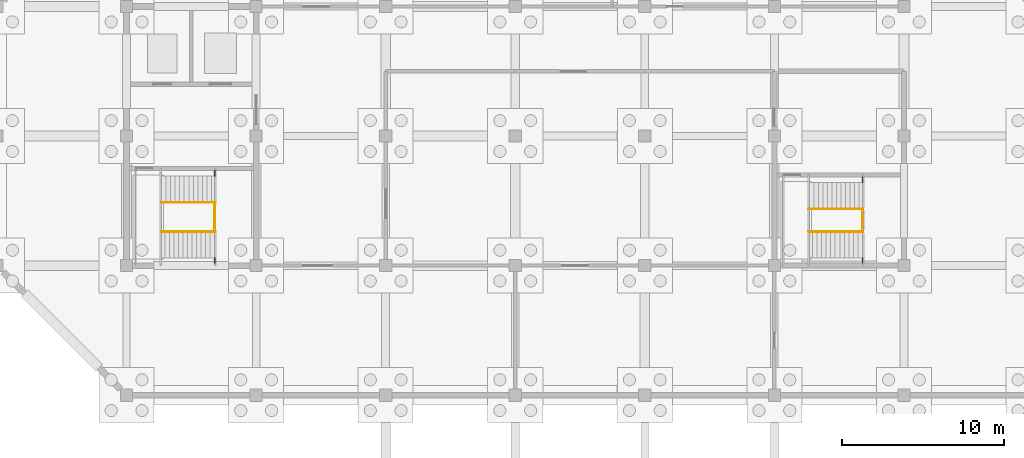
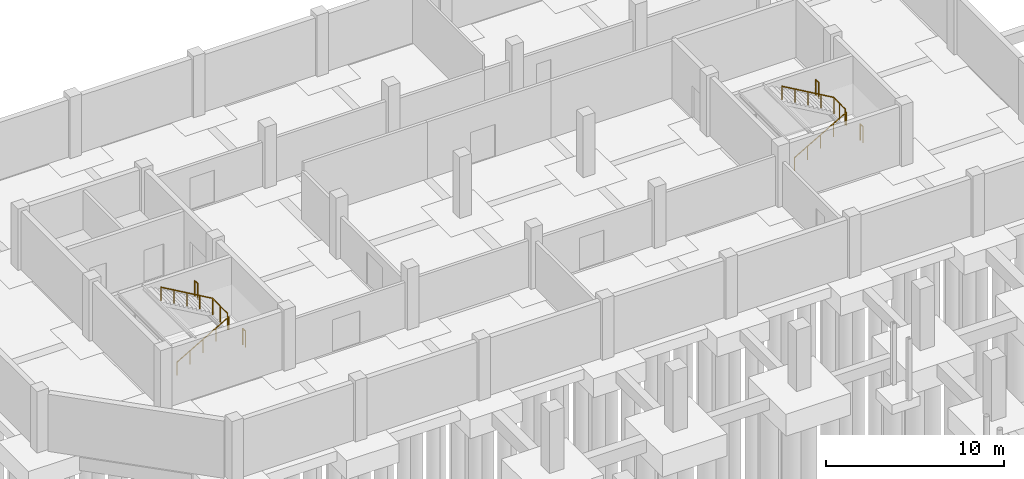
# One storey, part 31 of 32: 10 railings, 2 elements without a shape of their own.
"""IFC4 building model written with IfcOpenShell, lengths in metres."""

import ifcopenshell
import ifcopenshell.guid

model = None  # the IFC model being written
_history = None  # IfcOwnerHistory: only IFC2X3 demands one
_inside = {}  # id of a spatial element -> (the spatial element, [elements in it])
_under = {}  # id of a project, library or spatial element -> (it, [spatial elements below it])
_declared = {}  # id of a project -> (the project, [libraries it declares])
_typed = {}  # id of a type object -> (the type object, [elements of that type])
_made_of = {}  # id of a material, layer set ... -> (it, [elements and type objects made of it])


def new_model(schema):
    """Start an empty IFC model of exactly this schema.

    Asked for "IFC4X3", IfcOpenShell would pick the latest addendum, in which some entities
    have other attributes; the version numbers below select the first issue.
    IFC2X3 requires an IfcOwnerHistory on every rooted entity: one is made here for all.
    """
    global model, _history
    if schema == "IFC4X3":
        model = ifcopenshell.file(schema_version=(4, 3, 0, 0))
    else:
        model = ifcopenshell.file(schema=schema)
    _inside.clear()
    _under.clear()
    _declared.clear()
    _typed.clear()
    _made_of.clear()
    _history = None
    if model.schema == "IFC2X3":
        org = make("IfcOrganization", Name="unknown")
        user = make(
            "IfcPersonAndOrganization",
            ThePerson=make("IfcPerson", FamilyName="unknown"),
            TheOrganization=org,
        )
        app = make(
            "IfcApplication",
            ApplicationDeveloper=org,
            Version="unknown",
            ApplicationFullName="unknown",
            ApplicationIdentifier="unknown",
        )
        _history = make(
            "IfcOwnerHistory",
            OwningUser=user,
            OwningApplication=app,
            ChangeAction="ADDED",
            CreationDate=0,
        )
    return model


def make(cls, **values):
    """One entity of the class cls with the attributes given. An attribute that is None is left unset."""
    return model.create_entity(
        cls, **{name: value for name, value in values.items() if value is not None}
    )


def rooted(cls, **values):
    """An entity with a GlobalId (a new one), such as an element, a storey or a relation."""
    return make(cls, GlobalId=ifcopenshell.guid.new(), OwnerHistory=_history, **values)


def si_unit(unit_type, name, prefix=None):
    """IfcSIUnit, for example si_unit("LENGTHUNIT", "METRE", prefix="MILLI")."""
    return make("IfcSIUnit", UnitType=unit_type, Prefix=prefix, Name=name)


def assignment(units):
    """IfcUnitAssignment: the units of a project."""
    return None if units is None else make("IfcUnitAssignment", Units=units)


def point(xyz):
    """IfcCartesianPoint."""
    return None if xyz is None else make("IfcCartesianPoint", Coordinates=xyz)


def direction(xyz):
    """IfcDirection."""
    return None if xyz is None else make("IfcDirection", DirectionRatios=xyz)


def frame(location, z_axis=None, x_axis=None):
    """IfcAxis2Placement3D, a coordinate frame: its origin and axes. An axis left out is left unset."""
    return make(
        "IfcAxis2Placement3D",
        Location=point(location),
        Axis=direction(z_axis),
        RefDirection=direction(x_axis),
    )


def frame_2d(location, x_axis=None):
    """IfcAxis2Placement2D, a coordinate frame in the plane: its origin and x axis."""
    return make(
        "IfcAxis2Placement2D", Location=point(location), RefDirection=direction(x_axis)
    )


def origin():
    """The frame at (0, 0, 0) with its axes left unset."""
    return frame((0.0, 0.0, 0.0))


def origin_2d():
    """The frame at (0, 0) in the plane with its x axis left unset."""
    return frame_2d((0.0, 0.0))


def place(relative_to, where):
    """IfcLocalPlacement: puts the frame where relative to a parent placement (None: the world)."""
    return make(
        "IfcLocalPlacement", PlacementRelTo=relative_to, RelativePlacement=where
    )


def context(
    kind, dimensions, precision=None, world=None, true_north=None, identifier=None
):
    """IfcGeometricRepresentationContext, for example the 3D "Model" context."""
    return make(
        "IfcGeometricRepresentationContext",
        ContextIdentifier=identifier,
        ContextType=kind,
        CoordinateSpaceDimension=dimensions,
        Precision=precision,
        WorldCoordinateSystem=world,
        TrueNorth=true_north,
    )


def subcontext(parent, identifier, kind, view, scale=None):
    """IfcGeometricRepresentationSubContext, for example "Body" below "Model"."""
    return make(
        "IfcGeometricRepresentationSubContext",
        ContextIdentifier=identifier,
        ContextType=kind,
        ParentContext=parent,
        TargetScale=scale,
        TargetView=view,
    )


def project(units=None, contexts=None):
    """IfcProject with its units and contexts."""
    return rooted(
        "IfcProject",
        Name="project",
        RepresentationContexts=contexts,
        UnitsInContext=assignment(units),
    )


def spatial(cls, under=None, at=None, **own):
    """A site, building, storey or space (cls), placed at a placement, below another one or the project."""
    s = rooted(cls, ObjectPlacement=at, **own)
    if under is not None:
        _under.setdefault(under.id(), (under, []))[1].append(s)
    return s


def profile(cls, at=None, kind="AREA", **sizes):
    """A parametric profile (cls). Its sizes go by their IFC names, for example OverallWidth=200.0."""
    return make(cls, ProfileType=kind, Position=at, **sizes)


def circle(**sizes):
    """IfcCircleProfileDef."""
    return profile("IfcCircleProfileDef", **sizes)


def extrude(swept, where, along, depth):
    """IfcExtrudedAreaSolid: the profile swept, set in the frame where, extruded along a direction by depth."""
    return make(
        "IfcExtrudedAreaSolid",
        SweptArea=swept,
        Position=where,
        ExtrudedDirection=direction(along),
        Depth=depth,
    )


def shape(context_of_items, identifier, shape_type, items):
    """IfcShapeRepresentation: the items that make up one representation, for example the "Body"."""
    return make(
        "IfcShapeRepresentation",
        ContextOfItems=context_of_items,
        RepresentationIdentifier=identifier,
        RepresentationType=shape_type,
        Items=items,
    )


def material(Name=None, Category=None):
    """IfcMaterial."""
    return make("IfcMaterial", Name=Name, Category=Category)


def layer(
    of_material, thickness, ventilated=None, Name=None, Category=None, Priority=None
):
    """IfcMaterialLayer: one layer of a wall or slab, of a material (None: an air gap)."""
    return make(
        "IfcMaterialLayer",
        Material=of_material,
        LayerThickness=thickness,
        IsVentilated=ventilated,
        Name=Name,
        Category=Category,
        Priority=Priority,
    )


def layer_set(layers, Name=None):
    """IfcMaterialLayerSet."""
    return make("IfcMaterialLayerSet", MaterialLayers=layers, LayerSetName=Name)


def made_of(thing, what):
    """Note that an element or type object is made of a material, layer set ...; save() writes the relation."""
    if what is not None:
        _made_of.setdefault(what.id(), (what, []))[1].append(thing)
    return thing


def type_object(cls, material=None, **own):
    """A type object (cls), such as IfcWallType, which elements share."""
    return made_of(rooted(cls, **own), material)


def element(
    cls,
    number,
    at=None,
    inside=None,
    cuts=None,
    type_object=None,
    material=None,
    context=None,
    identifier="Body",
    shape_type=None,
    held_by="IfcProductDefinitionShape",
    body=None,
    shapes=None,
    **own,
):
    """One element of the class cls, such as IfcWall. Its Tag is "e" and its number.

    at: its placement. inside: the storey or other place that contains it. cuts: it is an
    opening in that element (IfcRelVoidsElement). A single representation is given by context,
    identifier, shape_type and body (its items); several are given by shapes. held_by: the class
    of the entity that holds the representations. save() writes the other relations.
    """
    e = rooted(cls, Tag="e%d" % number, ObjectPlacement=at, **own)
    if body is not None:
        shapes = [shape(context, identifier, shape_type, body)]
    if shapes is not None:
        e.Representation = make(held_by, Representations=shapes)
    if inside is not None:
        _inside.setdefault(inside.id(), (inside, []))[1].append(e)
    if cuts is not None:
        rooted(
            "IfcRelVoidsElement", RelatingBuildingElement=cuts, RelatedOpeningElement=e
        )
    if type_object is not None:
        _typed.setdefault(type_object.id(), (type_object, []))[1].append(e)
    return made_of(e, material)


def aggregate(whole, parts):
    """IfcRelAggregates: a whole, such as a stair, and the parts it consists of."""
    return rooted("IfcRelAggregates", RelatingObject=whole, RelatedObjects=parts)


def save(model, path):
    """Write the relations noted so far, then the file.

    IfcRelAggregates (storeys below a building ...), IfcRelContainedInSpatialStructure (elements
    in a storey), IfcRelDefinesByType, IfcRelAssociatesMaterial and IfcRelDeclares: one each for
    every whole, place, type object, material and project.
    """
    for whole, parts in _under.values():
        aggregate(whole, parts)
    for where, things in _inside.values():
        rooted(
            "IfcRelContainedInSpatialStructure",
            RelatedElements=things,
            RelatingStructure=where,
        )
    for kind, things in _typed.values():
        rooted("IfcRelDefinesByType", RelatedObjects=things, RelatingType=kind)
    for what, things in _made_of.values():
        rooted("IfcRelAssociatesMaterial", RelatedObjects=things, RelatingMaterial=what)
    for by, libraries in _declared.values():
        rooted("IfcRelDeclares", RelatingContext=by, RelatedDefinitions=libraries)
    model.write(path)


model = new_model("IFC4")

# Units and contexts
model_context = context("Model", 3, precision=1e-05, world=origin(), true_north=direction((0.0, 1.0)))
body_context = subcontext(model_context, "Body", "Model", "MODEL_VIEW")
ifc_project = project(units=[si_unit("LENGTHUNIT", "METRE"), si_unit("AREAUNIT", "SQUARE_METRE"), si_unit("VOLUMEUNIT", "CUBIC_METRE"), si_unit("PLANEANGLEUNIT", "RADIAN"), si_unit("MASSUNIT", "GRAM", prefix="KILO")], contexts=[model_context])

# Site, building, storey
site_placement = place(None, origin())
site = spatial("IfcSite", under=ifc_project, at=site_placement, CompositionType="ELEMENT")
building_placement = place(site_placement, origin())
building = spatial("IfcBuilding", under=site, at=building_placement, Name="Tenunan Teduh Sports Hall", CompositionType="ELEMENT")
storey_placement = place(building_placement, frame((0.0, 0.0, -4.199951171875)))
storey = spatial("IfcBuildingStorey", under=building, at=storey_placement, Name="B1", CompositionType="ELEMENT", Elevation=-4.199951171875)

# Railings
ifc_material_1 = material(Name="Galvanised and powder-coated steel", Category="steel")
ifc_layer_1 = layer(ifc_material_1, 0.070068359375)
ifc_layer_set_1 = layer_set([ifc_layer_1], Name="Galvanised and powder-coated steel")
railing_type_1 = type_object("IfcRailingType", Name="RLG-EXT-GRD", PredefinedType="GUARDRAIL", material=ifc_layer_set_1)
railing_1_placement = place(storey_placement, frame((111.43994140625, 96.169921875, 2.099853515625)))
element("IfcRailing", 1, at=railing_1_placement, inside=storey, type_object=railing_type_1, Name="RLG-STW-MID-E1-B1", PredefinedType="GUARDRAIL", context=body_context, shape_type="SweptSolid", body=[
    extrude(circle(Radius=0.02392578125, at=origin_2d()), frame((0.0, 0.0, 1.09619140625), z_axis=(0.0, 1.0, 0.0), x_axis=(-1.0, 0.0, 0.0)), (0.0, 0.0, 1.0), 1.66015625),
    extrude(circle(Radius=0.02099609375, at=origin_2d()), origin(), (0.0, 0.0, 1.0), 1.072021484375),
    extrude(circle(Radius=0.02099609375, at=origin_2d()), frame((0.0, 0.830078125, 0.0)), (0.0, 0.0, 1.0), 1.072021484375),
    extrude(circle(Radius=0.02099609375, at=origin_2d()), frame((0.0, 1.66015625, 0.0)), (0.0, 0.0, 1.0), 1.072021484375),
])
railing_2_placement = place(storey_placement, frame((111.43994140625, 94.159912109375, 2.099853515625)))
element("IfcRailing", 2, at=railing_2_placement, inside=storey, type_object=railing_type_1, Name="RLG-STW-MIDS-E1-B1", PredefinedType="GUARDRAIL", context=body_context, shape_type="SweptSolid", body=[
    extrude(circle(Radius=0.02392578125, at=origin_2d()), frame((0.0, 0.0, 1.09619140625), z_axis=(0.0, 1.0, 0.0), x_axis=(-1.0, 0.0, 0.0)), (0.0, 0.0, 1.0), 0.31005859375),
    extrude(circle(Radius=0.02099609375, at=origin_2d()), origin(), (0.0, 0.0, 1.0), 1.072021484375),
    extrude(circle(Radius=0.02099609375, at=origin_2d()), frame((0.0, 0.31005859375, 0.0)), (0.0, 0.0, 1.0), 1.072021484375),
])
railing_3_placement = place(storey_placement, frame((111.43994140625, 99.530029296875, 2.099853515625)))
element("IfcRailing", 3, at=railing_3_placement, inside=storey, type_object=railing_type_1, Name="RLG-STW-MIDN-E1-B1", PredefinedType="GUARDRAIL", context=body_context, shape_type="SweptSolid", body=[
    extrude(circle(Radius=0.02392578125, at=origin_2d()), frame((0.0, 0.0, 1.09619140625), z_axis=(0.0, 1.0, 0.0), x_axis=(-1.0, 0.0, 0.0)), (0.0, 0.0, 1.0), 0.340087890625),
    extrude(circle(Radius=0.02099609375, at=origin_2d()), origin(), (0.0, 0.0, 1.0), 1.072021484375),
    extrude(circle(Radius=0.02099609375, at=origin_2d()), frame((0.0, 0.340087890625, 0.0)), (0.0, 0.0, 1.0), 1.072021484375),
])
railing_4_placement = place(storey_placement, frame((151.43994140625, 96.169921875, 2.099853515625)))
element("IfcRailing", 4, at=railing_4_placement, inside=storey, type_object=railing_type_1, Name="RLG-STW-MID-E2-B1", PredefinedType="GUARDRAIL", context=body_context, shape_type="SweptSolid", body=[
    extrude(circle(Radius=0.02392578125, at=origin_2d()), frame((0.0, 0.0, 1.09619140625), z_axis=(0.0, 1.0, 0.0), x_axis=(-1.0, 0.0, 0.0)), (0.0, 0.0, 1.0), 1.260009765625),
    extrude(circle(Radius=0.02099609375, at=origin_2d()), origin(), (0.0, 0.0, 1.0), 1.072021484375),
    extrude(circle(Radius=0.02099609375, at=origin_2d()), frame((0.0, 0.6298828125, 0.0)), (0.0, 0.0, 1.0), 1.072021484375),
    extrude(circle(Radius=0.02099609375, at=origin_2d()), frame((0.0, 1.260009765625, 0.0)), (0.0, 0.0, 1.0), 1.072021484375),
])
railing_5_placement = place(storey_placement, frame((151.43994140625, 94.159912109375, 2.099853515625)))
element("IfcRailing", 5, at=railing_5_placement, inside=storey, type_object=railing_type_1, Name="RLG-STW-MIDS-E2-B1", PredefinedType="GUARDRAIL", context=body_context, shape_type="SweptSolid", body=[
    extrude(circle(Radius=0.02392578125, at=origin_2d()), frame((0.0, 0.0, 1.09619140625), z_axis=(0.0, 1.0, 0.0), x_axis=(-1.0, 0.0, 0.0)), (0.0, 0.0, 1.0), 0.31005859375),
    extrude(circle(Radius=0.02099609375, at=origin_2d()), origin(), (0.0, 0.0, 1.0), 1.072021484375),
    extrude(circle(Radius=0.02099609375, at=origin_2d()), frame((0.0, 0.31005859375, 0.0)), (0.0, 0.0, 1.0), 1.072021484375),
])
railing_6_placement = place(storey_placement, frame((151.43994140625, 99.1298828125, 2.099853515625)))
element("IfcRailing", 6, at=railing_6_placement, inside=storey, type_object=railing_type_1, Name="RLG-STW-MIDN-E2-B1", PredefinedType="GUARDRAIL", context=body_context, shape_type="SweptSolid", body=[
    extrude(circle(Radius=0.02392578125, at=origin_2d()), frame((0.0, 0.0, 1.09619140625), z_axis=(0.0, 1.0, 0.0), x_axis=(-1.0, 0.0, 0.0)), (0.0, 0.0, 1.0), 0.340087890625),
    extrude(circle(Radius=0.02099609375, at=origin_2d()), origin(), (0.0, 0.0, 1.0), 1.072021484375),
    extrude(circle(Radius=0.02099609375, at=origin_2d()), frame((0.0, 0.340087890625, 0.0)), (0.0, 0.0, 1.0), 1.072021484375),
])

# Stair, railings
ifc_material_2 = material(Name="Precast concrete C40/50", Category="concrete")
stair_type = type_object("IfcStairType", Name="STR-B1-ESC", PredefinedType="HALF_TURN_STAIR", material=ifc_material_2)
stair_1_placement = place(storey_placement, origin())
stair_1 = element("IfcStair", 7, at=stair_1_placement, inside=storey, type_object=stair_type, Name="STR-E1-B1", PredefinedType="HALF_TURN_STAIR")
ifc_material_3 = material(Name="Brushed stainless steel", Category="steel")
ifc_layer_2 = layer(ifc_material_3, 0.050048828125)
ifc_layer_set_2 = layer_set([ifc_layer_2], Name="Brushed stainless steel")
railing_type_2 = type_object("IfcRailingType", Name="RLG-STAIR-HR", PredefinedType="HANDRAIL", material=ifc_layer_set_2)
railing_7_placement = place(storey_placement, frame((108.1201171875, 96.10009765625, 0.161376953125)))
railing_7 = element("IfcRailing", 8, at=railing_7_placement, type_object=railing_type_2, Name="STR-E1-B1-HR1", PredefinedType="HANDRAIL", context=body_context, shape_type="SweptSolid", body=[
    extrude(circle(Radius=0.02392578125, at=origin_2d()), frame((0.0, 0.0, 0.89599609375), z_axis=(0.866175107563, 0.0, 0.499740615757), x_axis=(0.0, 1.0, 0.0)), (0.0, 0.0, 1.0), 3.87890625),
    extrude(circle(Radius=0.02099609375, at=origin_2d()), origin(), (0.0, 0.0, 1.0), 0.871826171875),
    extrude(circle(Radius=0.02099609375, at=origin_2d()), frame((0.83984375, 0.0, 0.484619140625)), (0.0, 0.0, 1.0), 0.871826171875),
    extrude(circle(Radius=0.02099609375, at=origin_2d()), frame((1.679931640625, 0.0, 0.96923828125)), (0.0, 0.0, 1.0), 0.871826171875),
    extrude(circle(Radius=0.02099609375, at=origin_2d()), frame((2.52001953125, 0.0, 1.453857421875)), (0.0, 0.0, 1.0), 0.871826171875),
    extrude(circle(Radius=0.02099609375, at=origin_2d()), frame((3.35986328125, 0.0, 1.9384765625)), (0.0, 0.0, 1.0), 0.871826171875),
])
railing_8_placement = place(storey_placement, frame((111.47998046875, 97.89990234375, 2.261474609375)))
railing_8 = element("IfcRailing", 9, at=railing_8_placement, type_object=railing_type_2, Name="STR-E1-B1-HR2", PredefinedType="HANDRAIL", context=body_context, shape_type="SweptSolid", body=[
    extrude(circle(Radius=0.02392578125, at=origin_2d()), frame((0.0, 0.0, 0.89599609375), z_axis=(-0.866175107563, 0.0, 0.499740615757), x_axis=(0.0, -1.0, 0.0)), (0.0, 0.0, 1.0), 3.87890625),
    extrude(circle(Radius=0.02099609375, at=origin_2d()), origin(), (0.0, 0.0, 1.0), 0.871826171875),
    extrude(circle(Radius=0.02099609375, at=origin_2d()), frame((-0.83984375, 0.0, 0.484619140625)), (0.0, 0.0, 1.0), 0.871826171875),
    extrude(circle(Radius=0.02099609375, at=origin_2d()), frame((-1.679931640625, 0.0, 0.96923828125)), (0.0, 0.0, 1.0), 0.871826171875),
    extrude(circle(Radius=0.02099609375, at=origin_2d()), frame((-2.52001953125, 0.0, 1.453857421875)), (0.0, 0.0, 1.0), 0.871826171875),
    extrude(circle(Radius=0.02099609375, at=origin_2d()), frame((-3.35986328125, 0.0, 1.9384765625)), (0.0, 0.0, 1.0), 0.871826171875),
])
aggregate(stair_1, [railing_7, railing_8])

stair_2_placement = place(storey_placement, origin())
stair_2 = element("IfcStair", 10, at=stair_2_placement, inside=storey, type_object=stair_type, Name="STR-E2-B1", PredefinedType="HALF_TURN_STAIR")
railing_9_placement = place(storey_placement, frame((148.1201171875, 96.10009765625, 0.161376953125)))
railing_9 = element("IfcRailing", 11, at=railing_9_placement, type_object=railing_type_2, Name="STR-E2-B1-HR1", PredefinedType="HANDRAIL", context=body_context, shape_type="SweptSolid", body=[
    extrude(circle(Radius=0.02392578125, at=origin_2d()), frame((0.0, 0.0, 0.89599609375), z_axis=(0.866175107563, 0.0, 0.499740615757), x_axis=(0.0, 1.0, 0.0)), (0.0, 0.0, 1.0), 3.87890625),
    extrude(circle(Radius=0.02099609375, at=origin_2d()), origin(), (0.0, 0.0, 1.0), 0.871826171875),
    extrude(circle(Radius=0.02099609375, at=origin_2d()), frame((0.83984375, 0.0, 0.484619140625)), (0.0, 0.0, 1.0), 0.871826171875),
    extrude(circle(Radius=0.02099609375, at=origin_2d()), frame((1.679931640625, 0.0, 0.96923828125)), (0.0, 0.0, 1.0), 0.871826171875),
    extrude(circle(Radius=0.02099609375, at=origin_2d()), frame((2.52001953125, 0.0, 1.453857421875)), (0.0, 0.0, 1.0), 0.871826171875),
    extrude(circle(Radius=0.02099609375, at=origin_2d()), frame((3.35986328125, 0.0, 1.9384765625)), (0.0, 0.0, 1.0), 0.871826171875),
])
railing_10_placement = place(storey_placement, frame((151.47998046875, 97.5, 2.261474609375)))
railing_10 = element("IfcRailing", 12, at=railing_10_placement, type_object=railing_type_2, Name="STR-E2-B1-HR2", PredefinedType="HANDRAIL", context=body_context, shape_type="SweptSolid", body=[
    extrude(circle(Radius=0.02392578125, at=origin_2d()), frame((0.0, 0.0, 0.89599609375), z_axis=(-0.866175107563, 0.0, 0.499740615757), x_axis=(0.0, -1.0, 0.0)), (0.0, 0.0, 1.0), 3.87890625),
    extrude(circle(Radius=0.02099609375, at=origin_2d()), origin(), (0.0, 0.0, 1.0), 0.871826171875),
    extrude(circle(Radius=0.02099609375, at=origin_2d()), frame((-0.83984375, 0.0, 0.484619140625)), (0.0, 0.0, 1.0), 0.871826171875),
    extrude(circle(Radius=0.02099609375, at=origin_2d()), frame((-1.679931640625, 0.0, 0.96923828125)), (0.0, 0.0, 1.0), 0.871826171875),
    extrude(circle(Radius=0.02099609375, at=origin_2d()), frame((-2.52001953125, 0.0, 1.453857421875)), (0.0, 0.0, 1.0), 0.871826171875),
    extrude(circle(Radius=0.02099609375, at=origin_2d()), frame((-3.35986328125, 0.0, 1.9384765625)), (0.0, 0.0, 1.0), 0.871826171875),
])
aggregate(stair_2, [railing_9, railing_10])

save(model, "model.ifc")
